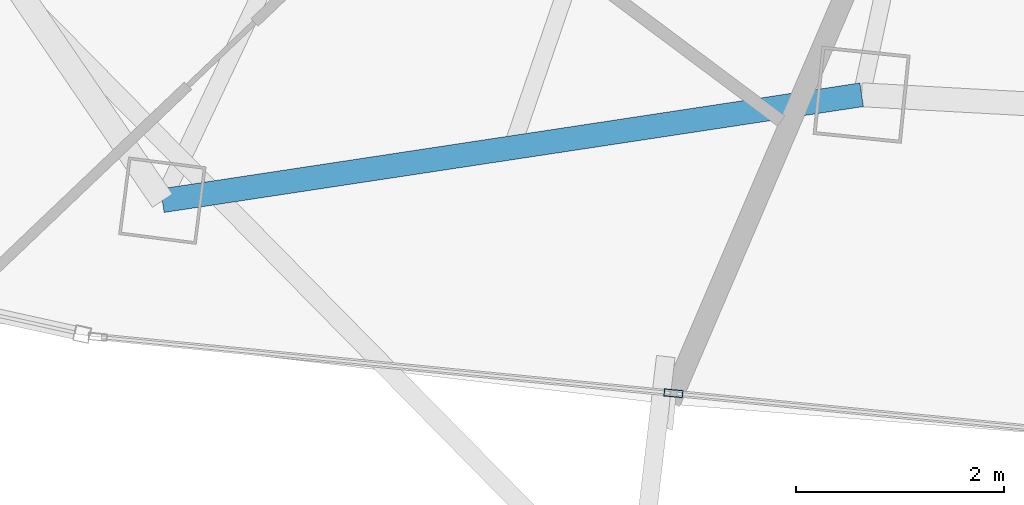
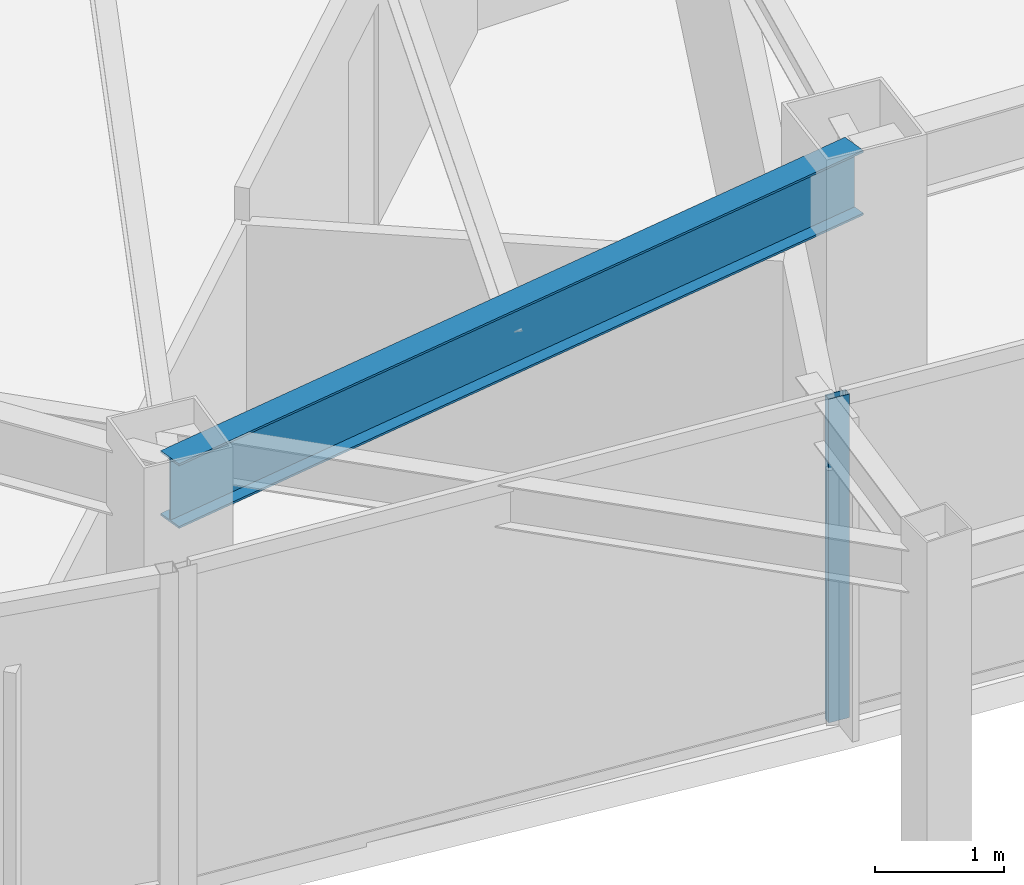
# One storey, part 4 of 29: 1 beam, 1 member, 1 element without a shape of its own.
"""IFC4 building model written with IfcOpenShell, lengths in metres."""

from ifc_helpers import new_model, si_unit, direction, frame, origin, origin_2d, place, context, subcontext, project, spatial, hollow_rectangle, i_section, extrude, material, layer, layer_set, material_profile, profile_set, type_object, element, aggregate, save


model = new_model("IFC4")

# Units and contexts
model_context = context("Model", 3, precision=1e-05, world=origin(), true_north=direction((0.0, 1.0)))
body_context = subcontext(model_context, "Body", "Model", "MODEL_VIEW")
ifc_project = project(units=[si_unit("LENGTHUNIT", "METRE"), si_unit("AREAUNIT", "SQUARE_METRE"), si_unit("VOLUMEUNIT", "CUBIC_METRE"), si_unit("PLANEANGLEUNIT", "RADIAN"), si_unit("MASSUNIT", "GRAM", prefix="KILO")], contexts=[model_context])

# Site, building, storey
site_placement = place(None, origin())
site = spatial("IfcSite", under=ifc_project, at=site_placement, CompositionType="ELEMENT")
building_placement = place(site_placement, origin())
building = spatial("IfcBuilding", under=site, at=building_placement, Name="Orvanel Arch Residences", CompositionType="ELEMENT")
storey_placement = place(building_placement, frame((0.0, 0.0, 170.449951171875)))
storey = spatial("IfcBuildingStorey", under=building, at=storey_placement, Name="L48", CompositionType="ELEMENT", Elevation=170.449951171875)

# Curtain wall, member
ifc_material_1 = material(Name="Bronze-anodised aluminium AA6063-T6", Category="aluminium")
ifc_layer = layer(ifc_material_1, 0.179931640625)
ifc_layer_set = layer_set([ifc_layer], Name="Bronze-anodised aluminium AA6063-T6")
curtain_wall_type = type_object("IfcCurtainWallType", Name="CW3-MID-SYS", PredefinedType="NOTDEFINED", material=ifc_layer_set)
curtain_wall_placement = place(storey_placement, origin())
curtain_wall = element("IfcCurtainWall", 1, at=curtain_wall_placement, inside=storey, type_object=curtain_wall_type, Name="L48 CW3-MID-SYS Unitised Curtain Wall", PredefinedType="NOTDEFINED")
ifc_material_profile_1 = material_profile(ifc_material_1, hollow_rectangle(XDim=0.070068359375, YDim=0.179931640625, WallThickness=0.00439453125, at=origin_2d()), Name="ALU180x70x4.5")
ifc_profile_set_1 = profile_set([ifc_material_profile_1], Name="Bronze-anodised aluminium AA6063-T6")
member_type = type_object("IfcMemberType", Name="MUL-180x70", PredefinedType="MULLION", material=ifc_profile_set_1)
member_placement = place(storey_placement, frame((21.843505859375, 4.491455078125, 0.0), z_axis=(0.0, 0.0, 1.0), x_axis=(0.097491445455, 0.995236362912, 0.0)))
member = element("IfcMember", 2, at=member_placement, type_object=member_type, Name="CW-S3 mullion 2", PredefinedType="MULLION", context=body_context, shape_type="SweptSolid", body=[
    extrude(hollow_rectangle(XDim=0.070068359375, YDim=0.179931640625, WallThickness=0.00439453125, at=origin_2d()), origin(), (0.0, 0.0, 1.0), 3.06005859375),
])
aggregate(curtain_wall, [member])

# Beam
ifc_material_2 = material(Name="Structural steel AS/NZS 3679.1 Grade 300 (300 MPa)", Category="steel")
ifc_material_profile_2 = material_profile(ifc_material_2, i_section(OverallWidth=0.22900390625, OverallDepth=0.612060546875, WebThickness=0.011962890625, FlangeThickness=0.01953125, at=origin_2d()), Name="610UB125")
ifc_profile_set_2 = profile_set([ifc_material_profile_2], Name="Structural steel AS/NZS 3679.1 Grade 300 (300 MPa)")
beam_type = type_object("IfcBeamType", Name="SP-610UB", PredefinedType="SPANDREL", material=ifc_profile_set_2)
beam_placement = place(storey_placement, frame((16.94091796875, 6.339111328125, 2.754150390625), z_axis=(0.988726323014, 0.149733958002, 0.0), x_axis=(-0.149733958002, 0.988726323014, 0.0)))
element("IfcBeam", 3, at=beam_placement, inside=storey, type_object=beam_type, Name="L48 Perimeter Spandrel Beam 04", PredefinedType="SPANDREL", context=body_context, shape_type="SweptSolid", body=[
    extrude(i_section(OverallWidth=0.22900390625, OverallDepth=0.612060546875, WebThickness=0.011962890625, FlangeThickness=0.01953125, at=origin_2d()), origin(), (0.0, 0.0, 1.0), 6.784423828125),
])

save(model, "model.ifc")
